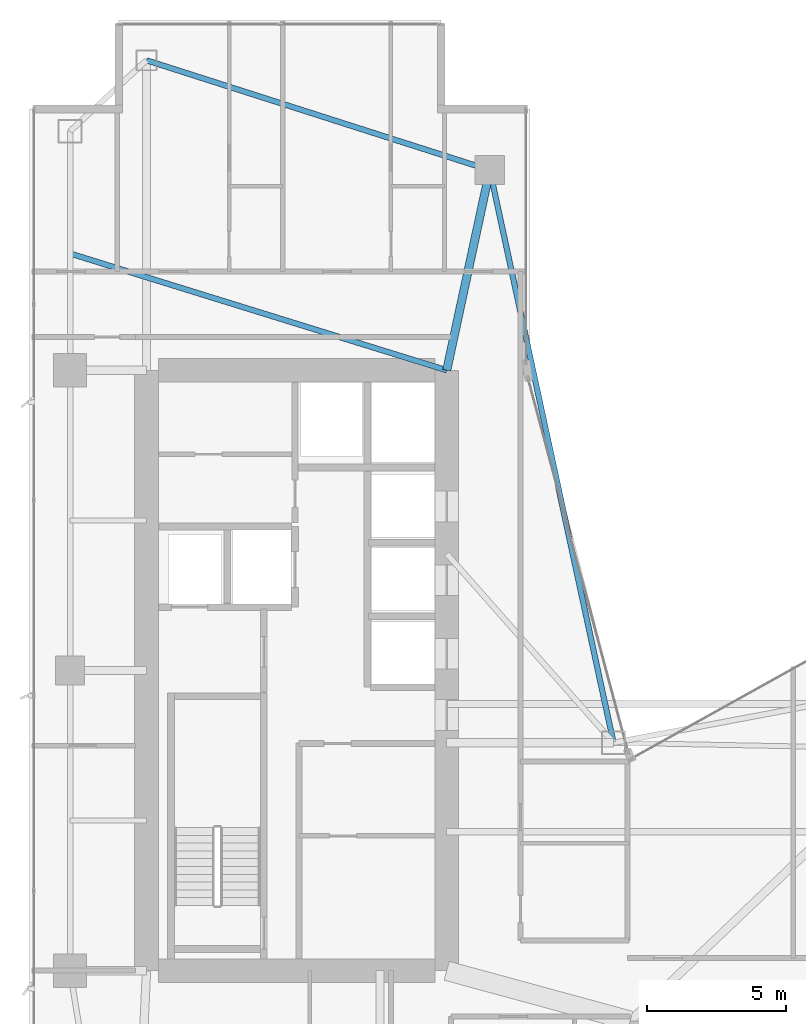
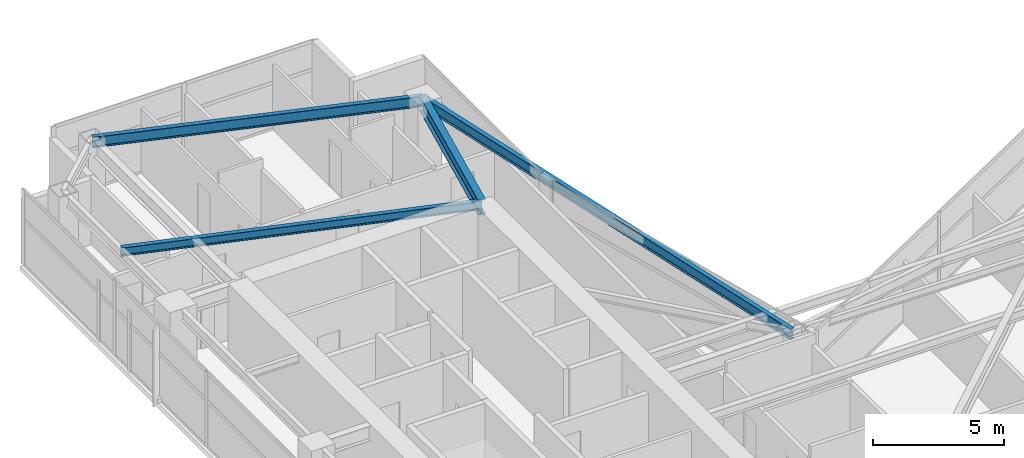
# One storey, part 17 of 28: 4 beams.
"""IFC4 building model written with IfcOpenShell, lengths in metres."""

from ifc_helpers import new_model, si_unit, direction, frame, origin, origin_2d, place, context, subcontext, project, spatial, i_section, extrude, material, material_profile, profile_set, type_object, element, save


model = new_model("IFC4")

# Units and contexts
model_context = context("Model", 3, precision=1e-05, world=origin(), true_north=direction((0.0, 1.0)))
body_context = subcontext(model_context, "Body", "Model", "MODEL_VIEW")
ifc_project = project(units=[si_unit("LENGTHUNIT", "METRE"), si_unit("AREAUNIT", "SQUARE_METRE"), si_unit("VOLUMEUNIT", "CUBIC_METRE"), si_unit("PLANEANGLEUNIT", "RADIAN"), si_unit("MASSUNIT", "GRAM", prefix="KILO")], contexts=[model_context])

# Site, building, storey
site_placement = place(None, origin())
site = spatial("IfcSite", under=ifc_project, at=site_placement, CompositionType="ELEMENT")
building_placement = place(site_placement, origin())
building = spatial("IfcBuilding", under=site, at=building_placement, Name="Calvorn Quay Hotel", CompositionType="ELEMENT")
storey_placement = place(building_placement, frame((0.0, 0.0, 112.60009765625)))
storey = spatial("IfcBuildingStorey", under=building, at=storey_placement, Name="L27", CompositionType="ELEMENT", Elevation=112.60009765625)

# Beams
ifc_material_1 = material(Name="Steel Q390GJC", Category="steel")
ifc_material_profile_1 = material_profile(ifc_material_1, i_section(OverallWidth=0.300048828125, OverallDepth=0.699951171875, WebThickness=0.012939453125, FlangeThickness=0.02392578125, FilletRadius=0.02392578125, at=origin_2d()), Name="HN700x300x13x24")
ifc_profile_set_1 = profile_set([ifc_material_profile_1], Name="Steel Q390GJC")
beam_type_1 = type_object("IfcBeamType", Name="BM-GIRD-MAIN", PredefinedType="BEAM", material=ifc_profile_set_1)
beam_1_placement = place(storey_placement, frame((16.550048828125, 45.60009765625, 3.18994140625), z_axis=(-0.210457140491, -0.97760308511, 0.0), x_axis=(0.97760308511, -0.210457140491, 0.0)))
element("IfcBeam", 1, at=beam_1_placement, inside=storey, type_object=beam_type_1, Name="Beam BG-L27-W6", PredefinedType="BEAM", context=body_context, shape_type="SweptSolid", body=[
    extrude(i_section(OverallWidth=0.300048828125, OverallDepth=0.699951171875, WebThickness=0.012939453125, FlangeThickness=0.02392578125, FilletRadius=0.02392578125, at=origin_2d()), origin(), (0.0, 0.0, 1.0), 7.365234375),
])
ifc_material_2 = material(Name="Steel Q355B", Category="steel")
ifc_material_profile_2 = material_profile(ifc_material_2, i_section(OverallWidth=0.199951171875, OverallDepth=0.39990234375, WebThickness=0.008056640625, FlangeThickness=0.012939453125, FilletRadius=0.01611328125, at=origin_2d()), Name="HN400x200x8x13")
ifc_profile_set_2 = profile_set([ifc_material_profile_2], Name="Steel Q355B")
beam_type_2 = type_object("IfcBeamType", Name="BM-JOIST-TYP", PredefinedType="JOIST", material=ifc_profile_set_2)
beam_2_placement = place(storey_placement, frame((1.449951171875, 42.60009765625, 3.33984375), z_axis=(0.955163702122, -0.296078202759, 0.0), x_axis=(0.296078202759, 0.955163702122, 0.0)))
element("IfcBeam", 2, at=beam_2_placement, inside=storey, type_object=beam_type_2, Name="Beam BJ-L27-W2", PredefinedType="JOIST", context=body_context, shape_type="SweptSolid", body=[
    extrude(i_section(OverallWidth=0.199951171875, OverallDepth=0.39990234375, WebThickness=0.008056640625, FlangeThickness=0.012939453125, FilletRadius=0.01611328125, at=origin_2d()), origin(), (0.0, 0.0, 1.0), 14.18603515625),
])
ifc_material_3 = material(Name="Steel Q355B", Category="steel")
ifc_material_profile_3 = material_profile(ifc_material_3, i_section(OverallWidth=0.199951171875, OverallDepth=0.5, WebThickness=0.010009765625, FlangeThickness=0.01611328125, FilletRadius=0.01611328125, at=origin_2d()), Name="HN500x200x10x16")
ifc_profile_set_3 = profile_set([ifc_material_profile_3], Name="Steel Q355B")
beam_type_3 = type_object("IfcBeamType", Name="BM-SPANDREL-Z1", PredefinedType="SPANDREL", material=ifc_profile_set_3)
beam_3_placement = place(storey_placement, frame((4.199951171875, 49.550048828125, 3.289794921875), z_axis=(0.952470702374, -0.304630203885, 0.0), x_axis=(0.304630203885, 0.952470702374, 0.0)))
element("IfcBeam", 3, at=beam_3_placement, inside=storey, type_object=beam_type_3, Name="Beam BSP-L27-W6", PredefinedType="SPANDREL", context=body_context, shape_type="SweptSolid", body=[
    extrude(i_section(OverallWidth=0.199951171875, OverallDepth=0.5, WebThickness=0.010009765625, FlangeThickness=0.01611328125, FilletRadius=0.01611328125, at=origin_2d()), origin(), (0.0, 0.0, 1.0), 12.96630859375),
])
beam_4_placement = place(storey_placement, frame((16.550048828125, 45.60009765625, 3.289794921875), z_axis=(0.211145848376, -0.977454567084, 0.0), x_axis=(0.977454567084, 0.211145848376, 0.0)))
element("IfcBeam", 4, at=beam_4_placement, inside=storey, type_object=beam_type_3, Name="Beam BSP-L27-W7", PredefinedType="SPANDREL", context=body_context, shape_type="SweptSolid", body=[
    extrude(i_section(OverallWidth=0.199951171875, OverallDepth=0.5, WebThickness=0.010009765625, FlangeThickness=0.01611328125, FilletRadius=0.01611328125, at=origin_2d()), origin(), (0.0, 0.0, 1.0), 21.0751953125),
])

save(model, "model.ifc")
